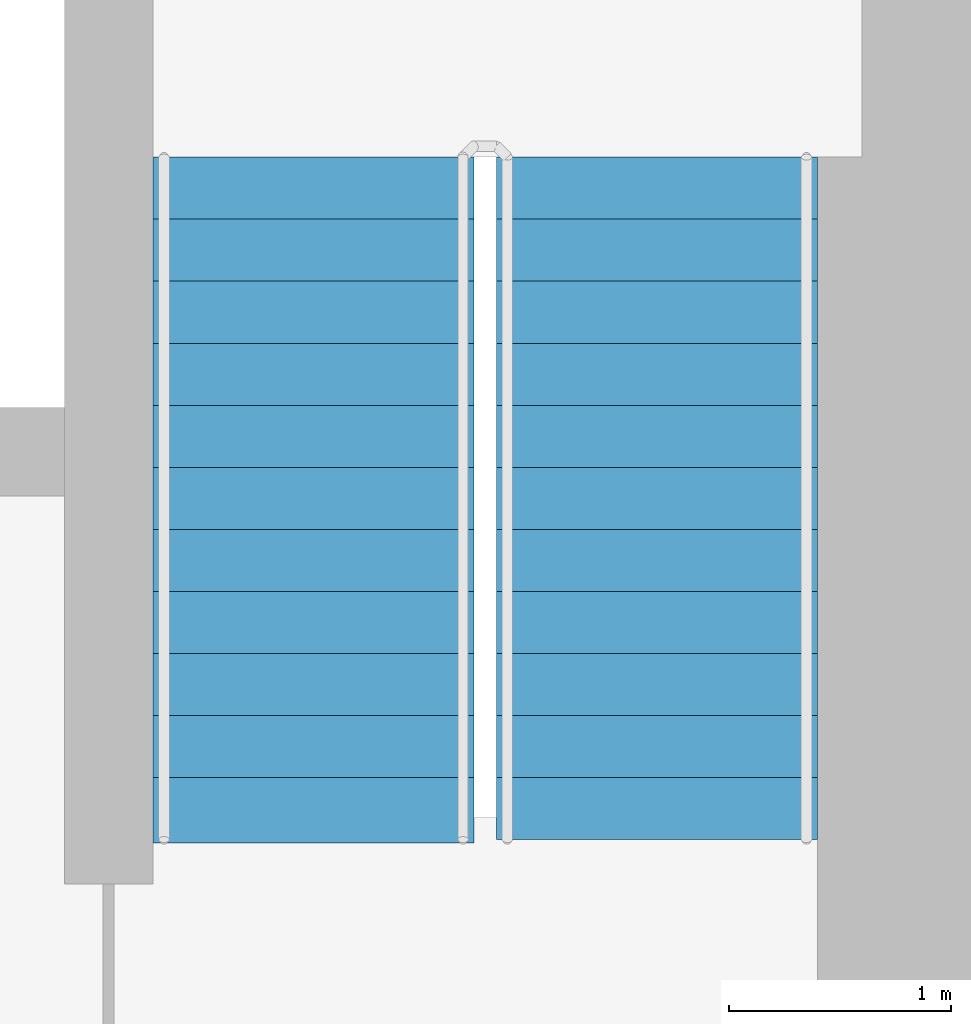
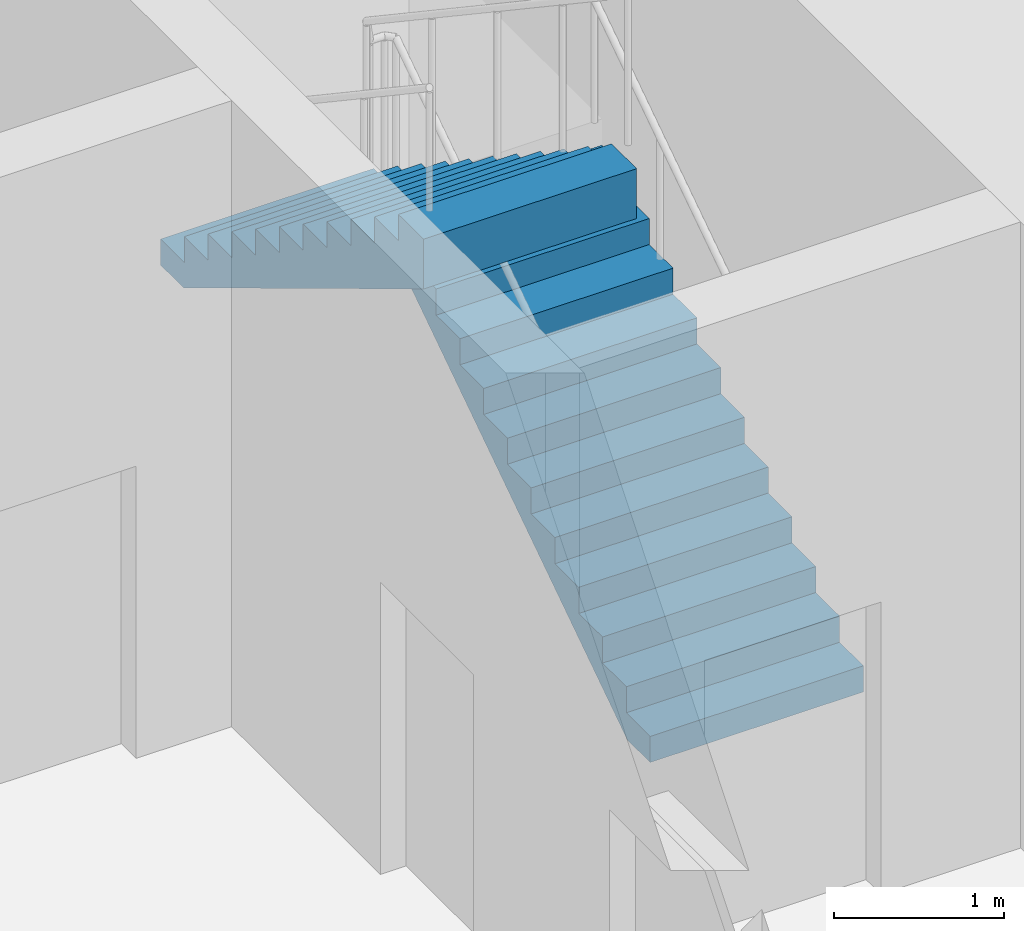
# One storey, part 14 of 18: 2 stair flights, 1 element without a shape of its own.
"""IFC4 building model written with IfcOpenShell, lengths in metres."""

from ifc_helpers import new_model, si_unit, direction, frame, origin, place, context, subcontext, project, spatial, polyline, outline, extrude, material, type_object, element, aggregate, save


model = new_model("IFC4")

# Units and contexts
model_context = context("Model", 3, precision=1e-05, world=origin(), true_north=direction((0.0, 1.0)))
body_context = subcontext(model_context, "Body", "Model", "MODEL_VIEW")
ifc_project = project(units=[si_unit("LENGTHUNIT", "METRE"), si_unit("AREAUNIT", "SQUARE_METRE"), si_unit("VOLUMEUNIT", "CUBIC_METRE"), si_unit("PLANEANGLEUNIT", "RADIAN"), si_unit("MASSUNIT", "GRAM", prefix="KILO")], contexts=[model_context])

# Site, building, storey
site_placement = place(None, origin())
site = spatial("IfcSite", under=ifc_project, at=site_placement, CompositionType="ELEMENT")
building_placement = place(site_placement, origin())
building = spatial("IfcBuilding", under=site, at=building_placement, Name="Bicima Exchange Tower", CompositionType="ELEMENT")
storey_placement = place(building_placement, frame((0.0, 0.0, 347.89990234375)))
storey = spatial("IfcBuildingStorey", under=building, at=storey_placement, Name="L78", CompositionType="ELEMENT", Elevation=347.89990234375)

# Stair, stair flights
ifc_material = material(Name="Concrete C50/60", Category="concrete")
stair_type = type_object("IfcStairType", Name="Exit stair", PredefinedType="HALF_TURN_STAIR", material=ifc_material)
stair_placement = place(storey_placement, origin())
stair = element("IfcStair", 1, at=stair_placement, inside=storey, type_object=stair_type, Name="L78 East exit stair", PredefinedType="HALF_TURN_STAIR")
stair_flight_type = type_object("IfcStairFlightType", Name="Stair flight RC", PredefinedType="STRAIGHT", material=ifc_material)
stair_flight_1_placement = place(storey_placement, frame((20.074951171875, -6.550048828125, 0.0), z_axis=(0.0, 0.0, 1.0), x_axis=(0.0, 1.0, 0.0)))
stair_flight_1 = element("IfcStairFlight", 2, at=stair_flight_1_placement, type_object=stair_flight_type, Name="ST-E flight 1", NumberOfRisers=12, NumberOfTreads=11, PredefinedType="STRAIGHT", RiserHeight=0.1875, TreadLength=0.28, context=body_context, shape_type="SweptSolid", body=[
    extrude(outline(polyline([(0.0, 0.0), (0.0, 0.1875), (0.280029296875, 0.1875), (0.280029296875, 0.375), (0.56005859375, 0.375), (0.56005859375, 0.5625), (0.840087890625, 0.5625), (0.840087890625, 0.75), (1.1201171875, 0.75), (1.1201171875, 0.9375), (1.39990234375, 0.9375), (1.39990234375, 1.125), (1.679931640625, 1.125), (1.679931640625, 1.3125), (1.9599609375, 1.3125), (1.9599609375, 1.5), (2.239990234375, 1.5), (2.239990234375, 1.6875), (2.52001953125, 1.6875), (2.52001953125, 1.875), (2.800048828125, 1.875), (2.800048828125, 2.0625), (3.080078125, 2.0625), (3.080078125, 2.25), (3.080078125, 1.882080078125), (0.26953125, 0.0), (0.0, 0.0)])), frame((0.0, 0.72509765625, 0.0), z_axis=(0.0, -1.0, 0.0), x_axis=(1.0, 0.0, 0.0)), (0.0, 0.0, 1.0), 1.449951171875),
])
stair_flight_2_placement = place(storey_placement, frame((18.52490234375, -3.469970703125, 2.25), z_axis=(0.0, 0.0, 1.0), x_axis=(0.0, -1.0, 0.0)))
stair_flight_2 = element("IfcStairFlight", 3, at=stair_flight_2_placement, type_object=stair_flight_type, Name="ST-E flight 2", NumberOfRisers=12, NumberOfTreads=11, PredefinedType="STRAIGHT", RiserHeight=0.1875, TreadLength=0.28, context=body_context, shape_type="SweptSolid", body=[
    extrude(outline(polyline([(0.0, 0.0), (0.0, 0.1875), (0.280029296875, 0.1875), (0.280029296875, 0.375), (0.56005859375, 0.375), (0.56005859375, 0.5625), (0.840087890625, 0.5625), (0.840087890625, 0.75), (1.1201171875, 0.75), (1.1201171875, 0.9375), (1.39990234375, 0.9375), (1.39990234375, 1.125), (1.679931640625, 1.125), (1.679931640625, 1.3125), (1.9599609375, 1.3125), (1.9599609375, 1.5), (2.239990234375, 1.5), (2.239990234375, 1.6875), (2.52001953125, 1.6875), (2.52001953125, 1.875), (2.800048828125, 1.875), (2.800048828125, 2.0625), (3.080078125, 2.0625), (3.094970703125, 2.0625), (3.094970703125, 1.70458984375), (0.26953125, 0.0), (0.0, 0.0)])), frame((0.0, 0.72509765625, 0.0), z_axis=(0.0, -1.0, 0.0), x_axis=(1.0, 0.0, 0.0)), (0.0, 0.0, 1.0), 1.449951171875),
])
aggregate(stair, [stair_flight_1, stair_flight_2])

save(model, "model.ifc")
